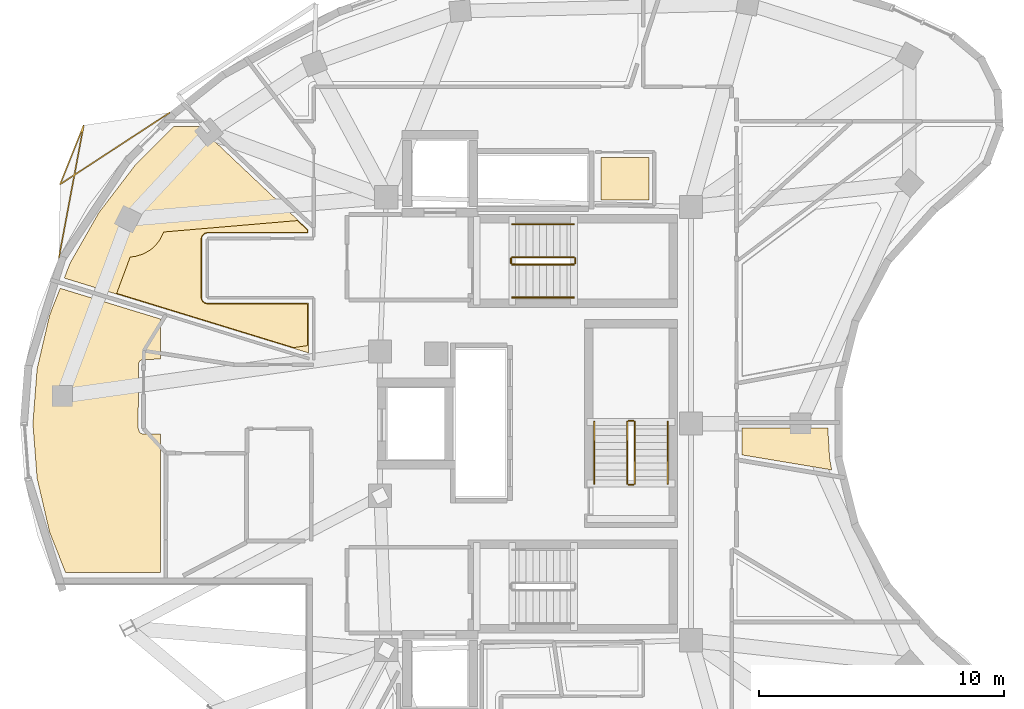
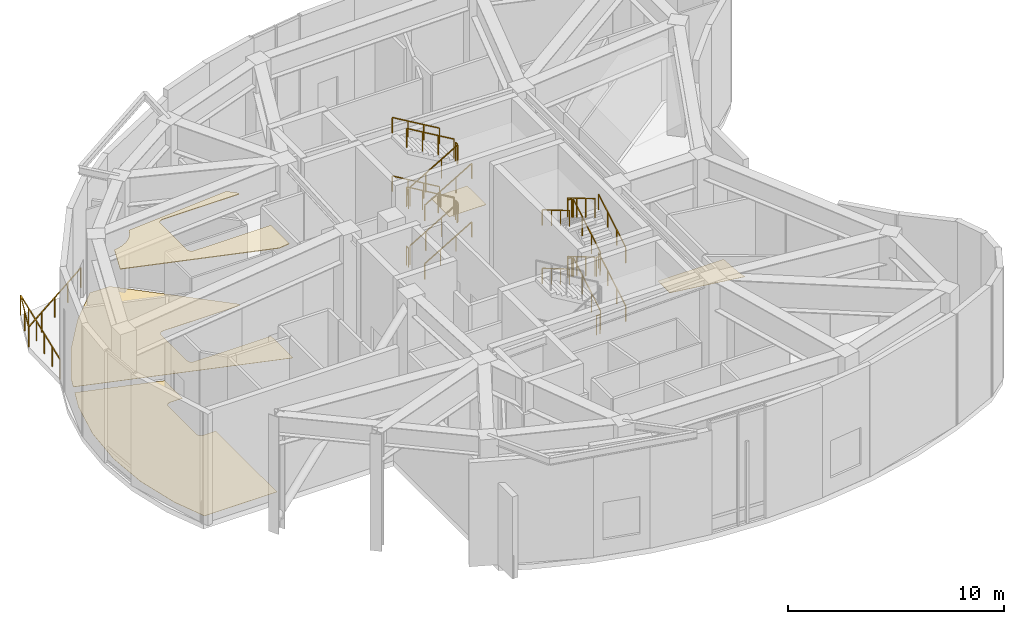
# One storey, part 11 of 12: 25 railings, 5 coverings.
"""IFC4 building model written with IfcOpenShell, lengths in metres."""

from ifc_helpers import new_model, si_unit, direction, frame, origin, origin_2d, place, context, subcontext, project, spatial, polyline, rectangle, outline, extrude, material, layer, layer_set, type_object, element, save


model = new_model("IFC4")

# Units and contexts
model_context = context("Model", 3, precision=1e-05, world=origin(), true_north=direction((0.0, 1.0)))
body_context = subcontext(model_context, "Body", "Model", "MODEL_VIEW")
ifc_project = project(units=[si_unit("LENGTHUNIT", "METRE"), si_unit("AREAUNIT", "SQUARE_METRE"), si_unit("VOLUMEUNIT", "CUBIC_METRE"), si_unit("PLANEANGLEUNIT", "RADIAN"), si_unit("MASSUNIT", "GRAM", prefix="KILO")], contexts=[model_context])

# Site, building, storey
site_placement = place(None, origin())
site = spatial("IfcSite", under=ifc_project, at=site_placement, CompositionType="ELEMENT")
building_placement = place(site_placement, origin())
building = spatial("IfcBuilding", under=site, at=building_placement, Name="Korentha Bioscience Tower", CompositionType="ELEMENT")
storey_placement = place(building_placement, frame((0.0, 0.0, 291.0)))
storey = spatial("IfcBuildingStorey", under=building, at=storey_placement, Name="L67", CompositionType="ELEMENT", Elevation=291.0)

# Covering
ifc_material_1 = material(Name="Vitrified Porcelain Tile", Category="ceramic")
ifc_layer_1 = layer(ifc_material_1, 0.014892578125, Name="Vitrified Porcelain Tile")
ifc_layer_set_1 = layer_set([ifc_layer_1], Name="Vitrified Porcelain Tile (FL-CER)")
covering_type_1 = type_object("IfcCoveringType", Name="Anti-Slip Ceramic Wet-Room Tile Flooring 15", PredefinedType="FLOORING", material=ifc_layer_set_1)
covering_1_placement = place(storey_placement, origin())
element("IfcCovering", 1, at=covering_1_placement, inside=storey, type_object=covering_type_1, Name="L67 Accessible Staff WC Floor Finish", PredefinedType="FLOORING", context=body_context, shape_type="SweptSolid", body=[
    extrude(outline(polyline([(33.8701171875, 36.1298828125), (33.8701171875, 37.8701171875), (35.830078125, 37.8701171875), (35.830078125, 36.1298828125), (33.8701171875, 36.1298828125)])), origin(), (0.0, 0.0, 1.0), 0.014892578125),
])

# Railings
ifc_material_2 = material(Name="Stainless Steel 304", Category="steel")
railing_type_1 = type_object("IfcRailingType", Name="Brushed Stainless Stair Handrail 900", PredefinedType="HANDRAIL", material=ifc_material_2)
railing_1_placement = place(storey_placement, frame((30.25, 32.14990234375, 0.1650390625)))
element("IfcRailing", 2, at=railing_1_placement, inside=storey, type_object=railing_type_1, Name="L67 ST-1 stair handrail 1", PredefinedType="HANDRAIL", context=body_context, shape_type="SweptSolid", body=[
    extrude(rectangle(XDim=0.048095703125, YDim=0.048095703125, at=origin_2d()), frame((0.0, 0.0, 0.8759765625), z_axis=(0.861560626758, 0.0, 0.507654692109), x_axis=(0.0, 1.0, 0.0)), (0.0, 0.0, 1.0), 2.925048828125),
    extrude(rectangle(XDim=0.0419921875, YDim=0.0419921875, at=origin_2d()), origin(), (0.0, 0.0, 1.0), 0.851806640625),
    extrude(rectangle(XDim=0.0419921875, YDim=0.0419921875, at=origin_2d()), frame((0.840087890625, 0.0, 0.494873046875)), (0.0, 0.0, 1.0), 0.851806640625),
    extrude(rectangle(XDim=0.0419921875, YDim=0.0419921875, at=origin_2d()), frame((1.679931640625, 0.0, 0.989990234375)), (0.0, 0.0, 1.0), 0.851806640625),
    extrude(rectangle(XDim=0.0419921875, YDim=0.0419921875, at=origin_2d()), frame((2.52001953125, 0.0, 1.48486328125)), (0.0, 0.0, 1.0), 0.851806640625),
])
railing_2_placement = place(storey_placement, frame((32.77001953125, 35.14990234375, 1.81494140625)))
element("IfcRailing", 3, at=railing_2_placement, inside=storey, type_object=railing_type_1, Name="L67 ST-1 stair handrail 2", PredefinedType="HANDRAIL", context=body_context, shape_type="SweptSolid", body=[
    extrude(rectangle(XDim=0.048095703125, YDim=0.048095703125, at=origin_2d()), frame((0.0, 0.0, 0.8759765625), z_axis=(-0.86152411907, 0.0, 0.507716645641), x_axis=(0.0, -1.0, 0.0)), (0.0, 0.0, 1.0), 2.925048828125),
    extrude(rectangle(XDim=0.0419921875, YDim=0.0419921875, at=origin_2d()), origin(), (0.0, 0.0, 1.0), 0.851806640625),
    extrude(rectangle(XDim=0.0419921875, YDim=0.0419921875, at=origin_2d()), frame((-0.840087890625, 0.0, 0.4951171875)), (0.0, 0.0, 1.0), 0.851806640625),
    extrude(rectangle(XDim=0.0419921875, YDim=0.0419921875, at=origin_2d()), frame((-1.679931640625, 0.0, 0.989990234375)), (0.0, 0.0, 1.0), 0.851806640625),
    extrude(rectangle(XDim=0.0419921875, YDim=0.0419921875, at=origin_2d()), frame((-2.52001953125, 0.0, 1.485107421875)), (0.0, 0.0, 1.0), 0.851806640625),
])
railing_3_placement = place(storey_placement, frame((30.25, 32.14990234375, 3.465087890625)))
element("IfcRailing", 4, at=railing_3_placement, inside=storey, type_object=railing_type_1, Name="L67 ST-1 stair handrail 3", PredefinedType="HANDRAIL", context=body_context, shape_type="SweptSolid", body=[
    extrude(rectangle(XDim=0.048095703125, YDim=0.048095703125, at=origin_2d()), frame((0.0, 0.0, 0.8759765625), z_axis=(0.861560626758, 0.0, 0.507654692109), x_axis=(0.0, 1.0, 0.0)), (0.0, 0.0, 1.0), 2.925048828125),
    extrude(rectangle(XDim=0.0419921875, YDim=0.0419921875, at=origin_2d()), origin(), (0.0, 0.0, 1.0), 0.851806640625),
    extrude(rectangle(XDim=0.0419921875, YDim=0.0419921875, at=origin_2d()), frame((0.840087890625, 0.0, 0.494873046875)), (0.0, 0.0, 1.0), 0.851806640625),
    extrude(rectangle(XDim=0.0419921875, YDim=0.0419921875, at=origin_2d()), frame((1.679931640625, 0.0, 0.989990234375)), (0.0, 0.0, 1.0), 0.851806640625),
    extrude(rectangle(XDim=0.0419921875, YDim=0.0419921875, at=origin_2d()), frame((2.52001953125, 0.0, 1.48486328125)), (0.0, 0.0, 1.0), 0.851806640625),
])
railing_4_placement = place(storey_placement, frame((32.77001953125, 35.14990234375, 5.114990234375)))
element("IfcRailing", 5, at=railing_4_placement, inside=storey, type_object=railing_type_1, Name="L67 ST-1 stair handrail 4", PredefinedType="HANDRAIL", context=body_context, shape_type="SweptSolid", body=[
    extrude(rectangle(XDim=0.048095703125, YDim=0.048095703125, at=origin_2d()), frame((0.0, 0.0, 0.8759765625), z_axis=(-0.86152411907, 0.0, 0.507716645641), x_axis=(0.0, -1.0, 0.0)), (0.0, 0.0, 1.0), 2.925048828125),
    extrude(rectangle(XDim=0.0419921875, YDim=0.0419921875, at=origin_2d()), origin(), (0.0, 0.0, 1.0), 0.851806640625),
    extrude(rectangle(XDim=0.0419921875, YDim=0.0419921875, at=origin_2d()), frame((-0.840087890625, 0.0, 0.4951171875)), (0.0, 0.0, 1.0), 0.851806640625),
    extrude(rectangle(XDim=0.0419921875, YDim=0.0419921875, at=origin_2d()), frame((-1.679931640625, 0.0, 0.989990234375)), (0.0, 0.0, 1.0), 0.851806640625),
    extrude(rectangle(XDim=0.0419921875, YDim=0.0419921875, at=origin_2d()), frame((-2.52001953125, 0.0, 1.485107421875)), (0.0, 0.0, 1.0), 0.851806640625),
])
railing_5_placement = place(storey_placement, frame((36.60009765625, 24.550048828125, 0.1650390625)))
element("IfcRailing", 6, at=railing_5_placement, inside=storey, type_object=railing_type_1, Name="L67 ST-3 stair handrail 1", PredefinedType="HANDRAIL", context=body_context, shape_type="SweptSolid", body=[
    extrude(rectangle(XDim=0.048095703125, YDim=0.048095703125, at=origin_2d()), frame((0.0, 0.0, 0.8759765625), z_axis=(0.0, 0.861560626758, 0.507654692109), x_axis=(-1.0, 0.0, 0.0)), (0.0, 0.0, 1.0), 2.925048828125),
    extrude(rectangle(XDim=0.0419921875, YDim=0.0419921875, at=origin_2d()), origin(), (0.0, 0.0, 1.0), 0.851806640625),
    extrude(rectangle(XDim=0.0419921875, YDim=0.0419921875, at=origin_2d()), frame((0.0, 0.840087890625, 0.494873046875)), (0.0, 0.0, 1.0), 0.851806640625),
    extrude(rectangle(XDim=0.0419921875, YDim=0.0419921875, at=origin_2d()), frame((0.0, 1.679931640625, 0.989990234375)), (0.0, 0.0, 1.0), 0.851806640625),
    extrude(rectangle(XDim=0.0419921875, YDim=0.0419921875, at=origin_2d()), frame((0.0, 2.52001953125, 1.48486328125)), (0.0, 0.0, 1.0), 0.851806640625),
])
railing_6_placement = place(storey_placement, frame((33.60009765625, 27.070068359375, 1.81494140625)))
element("IfcRailing", 7, at=railing_6_placement, inside=storey, type_object=railing_type_1, Name="L67 ST-3 stair handrail 2", PredefinedType="HANDRAIL", context=body_context, shape_type="SweptSolid", body=[
    extrude(rectangle(XDim=0.048095703125, YDim=0.048095703125, at=origin_2d()), frame((0.0, 0.0, 0.8759765625), z_axis=(0.0, -0.86152411907, 0.507716645641), x_axis=(1.0, 0.0, 0.0)), (0.0, 0.0, 1.0), 2.925048828125),
    extrude(rectangle(XDim=0.0419921875, YDim=0.0419921875, at=origin_2d()), origin(), (0.0, 0.0, 1.0), 0.851806640625),
    extrude(rectangle(XDim=0.0419921875, YDim=0.0419921875, at=origin_2d()), frame((0.0, -0.840087890625, 0.4951171875)), (0.0, 0.0, 1.0), 0.851806640625),
    extrude(rectangle(XDim=0.0419921875, YDim=0.0419921875, at=origin_2d()), frame((0.0, -1.679931640625, 0.989990234375)), (0.0, 0.0, 1.0), 0.851806640625),
    extrude(rectangle(XDim=0.0419921875, YDim=0.0419921875, at=origin_2d()), frame((0.0, -2.52001953125, 1.485107421875)), (0.0, 0.0, 1.0), 0.851806640625),
])
railing_7_placement = place(storey_placement, frame((36.60009765625, 24.550048828125, 3.465087890625)))
element("IfcRailing", 8, at=railing_7_placement, inside=storey, type_object=railing_type_1, Name="L67 ST-3 stair handrail 3", PredefinedType="HANDRAIL", context=body_context, shape_type="SweptSolid", body=[
    extrude(rectangle(XDim=0.048095703125, YDim=0.048095703125, at=origin_2d()), frame((0.0, 0.0, 0.8759765625), z_axis=(0.0, 0.861560626758, 0.507654692109), x_axis=(-1.0, 0.0, 0.0)), (0.0, 0.0, 1.0), 2.925048828125),
    extrude(rectangle(XDim=0.0419921875, YDim=0.0419921875, at=origin_2d()), origin(), (0.0, 0.0, 1.0), 0.851806640625),
    extrude(rectangle(XDim=0.0419921875, YDim=0.0419921875, at=origin_2d()), frame((0.0, 0.840087890625, 0.494873046875)), (0.0, 0.0, 1.0), 0.851806640625),
    extrude(rectangle(XDim=0.0419921875, YDim=0.0419921875, at=origin_2d()), frame((0.0, 1.679931640625, 0.989990234375)), (0.0, 0.0, 1.0), 0.851806640625),
    extrude(rectangle(XDim=0.0419921875, YDim=0.0419921875, at=origin_2d()), frame((0.0, 2.52001953125, 1.48486328125)), (0.0, 0.0, 1.0), 0.851806640625),
])
railing_8_placement = place(storey_placement, frame((33.60009765625, 27.070068359375, 5.114990234375)))
element("IfcRailing", 9, at=railing_8_placement, inside=storey, type_object=railing_type_1, Name="L67 ST-3 stair handrail 4", PredefinedType="HANDRAIL", context=body_context, shape_type="SweptSolid", body=[
    extrude(rectangle(XDim=0.048095703125, YDim=0.048095703125, at=origin_2d()), frame((0.0, 0.0, 0.8759765625), z_axis=(0.0, -0.86152411907, 0.507716645641), x_axis=(1.0, 0.0, 0.0)), (0.0, 0.0, 1.0), 2.925048828125),
    extrude(rectangle(XDim=0.0419921875, YDim=0.0419921875, at=origin_2d()), origin(), (0.0, 0.0, 1.0), 0.851806640625),
    extrude(rectangle(XDim=0.0419921875, YDim=0.0419921875, at=origin_2d()), frame((0.0, -0.840087890625, 0.4951171875)), (0.0, 0.0, 1.0), 0.851806640625),
    extrude(rectangle(XDim=0.0419921875, YDim=0.0419921875, at=origin_2d()), frame((0.0, -1.679931640625, 0.989990234375)), (0.0, 0.0, 1.0), 0.851806640625),
    extrude(rectangle(XDim=0.0419921875, YDim=0.0419921875, at=origin_2d()), frame((0.0, -2.52001953125, 1.485107421875)), (0.0, 0.0, 1.0), 0.851806640625),
])
ifc_material_3 = material(Name="Laminated Tempered Safety Glass", Category="glass")
railing_type_2 = type_object("IfcRailingType", Name="Laminated Glass Balcony Guardrail 1150", PredefinedType="BALUSTRADE", material=ifc_material_3)
railing_9_placement = place(storey_placement, frame((16.258056640625, 39.702880859375, 0.0)))
element("IfcRailing", 10, at=railing_9_placement, inside=storey, type_object=railing_type_2, Name="L67 Balcony Guardrail 02", PredefinedType="BALUSTRADE", context=body_context, shape_type="SweptSolid", body=[
    extrude(rectangle(XDim=0.048095703125, YDim=0.048095703125, at=origin_2d()), frame((0.0, 0.0, 1.1259765625), z_axis=(-0.837082251142, -0.547077055654, 0.0), x_axis=(0.547077055654, -0.837082251142, 0.0)), (0.0, 0.0, 1.0), 5.344970703125),
    extrude(rectangle(XDim=0.048095703125, YDim=0.048095703125, at=origin_2d()), frame((-4.47412109375, -2.924072265625, 1.1259765625), z_axis=(0.370350589188, 0.928892050288, 0.0), x_axis=(-0.928892050288, 0.370350589188, 0.0)), (0.0, 0.0, 1.0), 2.5908203125),
    extrude(rectangle(XDim=0.048095703125, YDim=0.048095703125, at=origin_2d()), frame((-3.5146484375, -0.517578125, 1.1259765625), z_axis=(-0.183907296618, -0.982943592609, 0.0), x_axis=(0.982943592609, -0.183907296618, 0.0)), (0.0, 0.0, 1.0), 5.49072265625),
    extrude(rectangle(XDim=0.0419921875, YDim=0.0419921875, at=origin_2d()), origin(), (0.0, 0.0, 1.0), 1.101806640625),
    extrude(rectangle(XDim=0.0419921875, YDim=0.0419921875, at=origin_2d()), frame((-1.11865234375, -0.73095703125, 0.0)), (0.0, 0.0, 1.0), 1.101806640625),
    extrude(rectangle(XDim=0.0419921875, YDim=0.0419921875, at=origin_2d()), frame((-2.237060546875, -1.4619140625, 0.0)), (0.0, 0.0, 1.0), 1.101806640625),
    extrude(rectangle(XDim=0.0419921875, YDim=0.0419921875, at=origin_2d()), frame((-3.35546875, -2.193115234375, 0.0)), (0.0, 0.0, 1.0), 1.101806640625),
    extrude(rectangle(XDim=0.0419921875, YDim=0.0419921875, at=origin_2d()), frame((-4.47412109375, -2.924072265625, 0.0)), (0.0, 0.0, 1.0), 1.101806640625),
    extrude(rectangle(XDim=0.0419921875, YDim=0.0419921875, at=origin_2d()), frame((-3.994384765625, -1.720703125, 0.0)), (0.0, 0.0, 1.0), 1.101806640625),
    extrude(rectangle(XDim=0.0419921875, YDim=0.0419921875, at=origin_2d()), frame((-3.5146484375, -0.517578125, 0.0)), (0.0, 0.0, 1.0), 1.101806640625),
    extrude(rectangle(XDim=0.0419921875, YDim=0.0419921875, at=origin_2d()), frame((-3.716552734375, -1.596923828125, 0.0)), (0.0, 0.0, 1.0), 1.101806640625),
    extrude(rectangle(XDim=0.0419921875, YDim=0.0419921875, at=origin_2d()), frame((-3.91845703125, -2.67626953125, 0.0)), (0.0, 0.0, 1.0), 1.101806640625),
    extrude(rectangle(XDim=0.0419921875, YDim=0.0419921875, at=origin_2d()), frame((-4.12060546875, -3.755859375, 0.0)), (0.0, 0.0, 1.0), 1.101806640625),
    extrude(rectangle(XDim=0.0419921875, YDim=0.0419921875, at=origin_2d()), frame((-4.322509765625, -4.835205078125, 0.0)), (0.0, 0.0, 1.0), 1.101806640625),
    extrude(rectangle(XDim=0.0419921875, YDim=0.0419921875, at=origin_2d()), frame((-4.5244140625, -5.91455078125, 0.0)), (0.0, 0.0, 1.0), 1.101806640625),
])

# Covering
ifc_material_4 = material(Name="Antimicrobial Mineral Fibre Board", Category="gypsum")
ifc_layer_2 = layer(ifc_material_4, 0.034912109375, Name="Antimicrobial Mineral Fibre Board")
ifc_layer_set_2 = layer_set([ifc_layer_2], Name="Antimicrobial Mineral Fibre Board (CL-MF35)")
covering_type_2 = type_object("IfcCoveringType", Name="Mineral-Fibre Cleanroom Suspended Ceiling 35", PredefinedType="CEILING", material=ifc_layer_set_2)
covering_2_placement = place(storey_placement, frame((0.0, 0.0, 6.264892578125)))
element("IfcCovering", 11, at=covering_2_placement, inside=storey, type_object=covering_type_2, Name="L67 Climate Telemetry Control Studio 17 Acoustic Ceiling", PredefinedType="CEILING", context=body_context, shape_type="SweptSolid", body=[
    extrude(outline(polyline([(21.88623046875, 34.81005859375), (17.800048828125, 34.81005859375), (17.666015625, 34.772705078125), (17.57666015625, 34.68310546875), (17.540283203125, 34.562255859375), (17.5400390625, 32.14990234375), (17.555419921875, 32.06201171875), (17.607666015625, 31.97509765625), (17.689208984375, 31.914794921875), (17.786865234375, 31.890380859375), (21.889892578125, 31.889892578125), (21.889892578125, 30.18603515625), (21.318359375, 30.10595703125), (14.09130859375, 32.32177734375), (14.643310546875, 33.805419921875), (14.859375, 33.830810546875), (15.150146484375, 33.919189453125), (15.418212890625, 34.062255859375), (15.540283203125, 34.15283203125), (15.653076171875, 34.255126953125), (15.845703125, 34.489990234375), (16.01416015625, 34.827880859375), (21.47021484375, 35.293212890625), (21.884765625, 34.901123046875), (21.88623046875, 34.81005859375)])), origin(), (0.0, 0.0, 1.0), 0.03515625),
])

# Railings
ifc_material_5 = material(Name="Painted Steel S275", Category="steel")
railing_type_3 = type_object("IfcRailingType", Name="Painted Steel Stair Well Guardrail 1100", PredefinedType="GUARDRAIL", material=ifc_material_5)
railing_10_placement = place(storey_placement, frame((30.25, 33.5, 0.1650390625)))
element("IfcRailing", 12, at=railing_10_placement, inside=storey, type_object=railing_type_3, Name="L67 ST-1 stair guard 1", PredefinedType="GUARDRAIL", context=body_context, shape_type="SweptSolid", body=[
    extrude(rectangle(XDim=0.048095703125, YDim=0.048095703125, at=origin_2d()), frame((0.0, 0.0, 1.076171875), z_axis=(0.861560626758, 0.0, 0.507654692109), x_axis=(0.0, 1.0, 0.0)), (0.0, 0.0, 1.0), 2.925048828125),
    extrude(rectangle(XDim=0.0419921875, YDim=0.0419921875, at=origin_2d()), origin(), (0.0, 0.0, 1.0), 1.052001953125),
    extrude(rectangle(XDim=0.0419921875, YDim=0.0419921875, at=origin_2d()), frame((0.840087890625, 0.0, 0.494873046875)), (0.0, 0.0, 1.0), 1.052001953125),
    extrude(rectangle(XDim=0.0419921875, YDim=0.0419921875, at=origin_2d()), frame((1.679931640625, 0.0, 0.989990234375)), (0.0, 0.0, 1.0), 1.052001953125),
    extrude(rectangle(XDim=0.0419921875, YDim=0.0419921875, at=origin_2d()), frame((2.52001953125, 0.0, 1.48486328125)), (0.0, 0.0, 1.0), 1.052001953125),
])
railing_11_placement = place(storey_placement, frame((32.820068359375, 33.550048828125, 1.64990234375)))
element("IfcRailing", 13, at=railing_11_placement, inside=storey, type_object=railing_type_3, Name="L67 ST-1 stair guard 2", PredefinedType="GUARDRAIL", context=body_context, shape_type="SweptSolid", body=[
    extrude(rectangle(XDim=0.048095703125, YDim=0.048095703125, at=origin_2d()), frame((0.0, 0.0, 1.076171875), z_axis=(0.0, 1.0, 0.0), x_axis=(-1.0, 0.0, 0.0)), (0.0, 0.0, 1.0), 0.199951171875),
    extrude(rectangle(XDim=0.0419921875, YDim=0.0419921875, at=origin_2d()), origin(), (0.0, 0.0, 1.0), 1.052001953125),
    extrude(rectangle(XDim=0.0419921875, YDim=0.0419921875, at=origin_2d()), frame((0.0, 0.199951171875, 0.0)), (0.0, 0.0, 1.0), 1.052001953125),
])
railing_12_placement = place(storey_placement, frame((32.77001953125, 33.800048828125, 1.81494140625)))
element("IfcRailing", 14, at=railing_12_placement, inside=storey, type_object=railing_type_3, Name="L67 ST-1 stair guard 3", PredefinedType="GUARDRAIL", context=body_context, shape_type="SweptSolid", body=[
    extrude(rectangle(XDim=0.048095703125, YDim=0.048095703125, at=origin_2d()), frame((0.0, 0.0, 1.076171875), z_axis=(-0.86152411907, 0.0, 0.507716645641), x_axis=(0.0, -1.0, 0.0)), (0.0, 0.0, 1.0), 2.925048828125),
    extrude(rectangle(XDim=0.0419921875, YDim=0.0419921875, at=origin_2d()), origin(), (0.0, 0.0, 1.0), 1.052001953125),
    extrude(rectangle(XDim=0.0419921875, YDim=0.0419921875, at=origin_2d()), frame((-0.840087890625, 0.0, 0.4951171875)), (0.0, 0.0, 1.0), 1.052001953125),
    extrude(rectangle(XDim=0.0419921875, YDim=0.0419921875, at=origin_2d()), frame((-1.679931640625, 0.0, 0.989990234375)), (0.0, 0.0, 1.0), 1.052001953125),
    extrude(rectangle(XDim=0.0419921875, YDim=0.0419921875, at=origin_2d()), frame((-2.52001953125, 0.0, 1.485107421875)), (0.0, 0.0, 1.0), 1.052001953125),
])
railing_13_placement = place(storey_placement, frame((30.199951171875, 33.550048828125, 3.300048828125)))
element("IfcRailing", 15, at=railing_13_placement, inside=storey, type_object=railing_type_3, Name="L67 ST-1 stair guard 4", PredefinedType="GUARDRAIL", context=body_context, shape_type="SweptSolid", body=[
    extrude(rectangle(XDim=0.048095703125, YDim=0.048095703125, at=origin_2d()), frame((0.0, 0.0, 1.076171875), z_axis=(0.0, 1.0, 0.0), x_axis=(-1.0, 0.0, 0.0)), (0.0, 0.0, 1.0), 0.199951171875),
    extrude(rectangle(XDim=0.0419921875, YDim=0.0419921875, at=origin_2d()), origin(), (0.0, 0.0, 1.0), 1.052001953125),
    extrude(rectangle(XDim=0.0419921875, YDim=0.0419921875, at=origin_2d()), frame((0.0, 0.199951171875, 0.0)), (0.0, 0.0, 1.0), 1.052001953125),
])
railing_14_placement = place(storey_placement, frame((30.25, 33.5, 3.465087890625)))
element("IfcRailing", 16, at=railing_14_placement, inside=storey, type_object=railing_type_3, Name="L67 ST-1 stair guard 5", PredefinedType="GUARDRAIL", context=body_context, shape_type="SweptSolid", body=[
    extrude(rectangle(XDim=0.048095703125, YDim=0.048095703125, at=origin_2d()), frame((0.0, 0.0, 1.076171875), z_axis=(0.861560626758, 0.0, 0.507654692109), x_axis=(0.0, 1.0, 0.0)), (0.0, 0.0, 1.0), 2.925048828125),
    extrude(rectangle(XDim=0.0419921875, YDim=0.0419921875, at=origin_2d()), origin(), (0.0, 0.0, 1.0), 1.052001953125),
    extrude(rectangle(XDim=0.0419921875, YDim=0.0419921875, at=origin_2d()), frame((0.840087890625, 0.0, 0.494873046875)), (0.0, 0.0, 1.0), 1.052001953125),
    extrude(rectangle(XDim=0.0419921875, YDim=0.0419921875, at=origin_2d()), frame((1.679931640625, 0.0, 0.989990234375)), (0.0, 0.0, 1.0), 1.052001953125),
    extrude(rectangle(XDim=0.0419921875, YDim=0.0419921875, at=origin_2d()), frame((2.52001953125, 0.0, 1.48486328125)), (0.0, 0.0, 1.0), 1.052001953125),
])
railing_15_placement = place(storey_placement, frame((32.820068359375, 33.550048828125, 4.949951171875)))
element("IfcRailing", 17, at=railing_15_placement, inside=storey, type_object=railing_type_3, Name="L67 ST-1 stair guard 6", PredefinedType="GUARDRAIL", context=body_context, shape_type="SweptSolid", body=[
    extrude(rectangle(XDim=0.048095703125, YDim=0.048095703125, at=origin_2d()), frame((0.0, 0.0, 1.076171875), z_axis=(0.0, 1.0, 0.0), x_axis=(-1.0, 0.0, 0.0)), (0.0, 0.0, 1.0), 0.199951171875),
    extrude(rectangle(XDim=0.0419921875, YDim=0.0419921875, at=origin_2d()), origin(), (0.0, 0.0, 1.0), 1.052001953125),
    extrude(rectangle(XDim=0.0419921875, YDim=0.0419921875, at=origin_2d()), frame((0.0, 0.199951171875, 0.0)), (0.0, 0.0, 1.0), 1.052001953125),
])
railing_16_placement = place(storey_placement, frame((32.77001953125, 33.800048828125, 5.114990234375)))
element("IfcRailing", 18, at=railing_16_placement, inside=storey, type_object=railing_type_3, Name="L67 ST-1 stair guard 7", PredefinedType="GUARDRAIL", context=body_context, shape_type="SweptSolid", body=[
    extrude(rectangle(XDim=0.048095703125, YDim=0.048095703125, at=origin_2d()), frame((0.0, 0.0, 1.076171875), z_axis=(-0.86152411907, 0.0, 0.507716645641), x_axis=(0.0, -1.0, 0.0)), (0.0, 0.0, 1.0), 2.925048828125),
    extrude(rectangle(XDim=0.0419921875, YDim=0.0419921875, at=origin_2d()), origin(), (0.0, 0.0, 1.0), 1.052001953125),
    extrude(rectangle(XDim=0.0419921875, YDim=0.0419921875, at=origin_2d()), frame((-0.840087890625, 0.0, 0.4951171875)), (0.0, 0.0, 1.0), 1.052001953125),
    extrude(rectangle(XDim=0.0419921875, YDim=0.0419921875, at=origin_2d()), frame((-1.679931640625, 0.0, 0.989990234375)), (0.0, 0.0, 1.0), 1.052001953125),
    extrude(rectangle(XDim=0.0419921875, YDim=0.0419921875, at=origin_2d()), frame((-2.52001953125, 0.0, 1.485107421875)), (0.0, 0.0, 1.0), 1.052001953125),
])
railing_17_placement = place(storey_placement, frame((30.199951171875, 33.550048828125, 0.0)))
element("IfcRailing", 19, at=railing_17_placement, inside=storey, type_object=railing_type_3, Name="L67 ST-1 stair guard 8", PredefinedType="GUARDRAIL", context=body_context, shape_type="SweptSolid", body=[
    extrude(rectangle(XDim=0.048095703125, YDim=0.048095703125, at=origin_2d()), frame((0.0, 0.0, 1.076171875), z_axis=(0.0, 1.0, 0.0), x_axis=(-1.0, 0.0, 0.0)), (0.0, 0.0, 1.0), 0.199951171875),
    extrude(rectangle(XDim=0.0419921875, YDim=0.0419921875, at=origin_2d()), origin(), (0.0, 0.0, 1.0), 1.052001953125),
    extrude(rectangle(XDim=0.0419921875, YDim=0.0419921875, at=origin_2d()), frame((0.0, 0.199951171875, 0.0)), (0.0, 0.0, 1.0), 1.052001953125),
])
railing_18_placement = place(storey_placement, frame((35.25, 24.550048828125, 0.1650390625)))
element("IfcRailing", 20, at=railing_18_placement, inside=storey, type_object=railing_type_3, Name="L67 ST-3 stair guard 1", PredefinedType="GUARDRAIL", context=body_context, shape_type="SweptSolid", body=[
    extrude(rectangle(XDim=0.048095703125, YDim=0.048095703125, at=origin_2d()), frame((0.0, 0.0, 1.076171875), z_axis=(0.0, 0.861560626758, 0.507654692109), x_axis=(-1.0, 0.0, 0.0)), (0.0, 0.0, 1.0), 2.925048828125),
    extrude(rectangle(XDim=0.0419921875, YDim=0.0419921875, at=origin_2d()), origin(), (0.0, 0.0, 1.0), 1.052001953125),
    extrude(rectangle(XDim=0.0419921875, YDim=0.0419921875, at=origin_2d()), frame((0.0, 0.840087890625, 0.494873046875)), (0.0, 0.0, 1.0), 1.052001953125),
    extrude(rectangle(XDim=0.0419921875, YDim=0.0419921875, at=origin_2d()), frame((0.0, 1.679931640625, 0.989990234375)), (0.0, 0.0, 1.0), 1.052001953125),
    extrude(rectangle(XDim=0.0419921875, YDim=0.0419921875, at=origin_2d()), frame((0.0, 2.52001953125, 1.48486328125)), (0.0, 0.0, 1.0), 1.052001953125),
])
railing_19_placement = place(storey_placement, frame((35.199951171875, 27.1201171875, 1.64990234375)))
element("IfcRailing", 21, at=railing_19_placement, inside=storey, type_object=railing_type_3, Name="L67 ST-3 stair guard 2", PredefinedType="GUARDRAIL", context=body_context, shape_type="SweptSolid", body=[
    extrude(rectangle(XDim=0.048095703125, YDim=0.048095703125, at=origin_2d()), frame((0.0, 0.0, 1.076171875), z_axis=(-1.0, 0.0, 0.0), x_axis=(0.0, -1.0, 0.0)), (0.0, 0.0, 1.0), 0.199951171875),
    extrude(rectangle(XDim=0.0419921875, YDim=0.0419921875, at=origin_2d()), origin(), (0.0, 0.0, 1.0), 1.052001953125),
    extrude(rectangle(XDim=0.0419921875, YDim=0.0419921875, at=origin_2d()), frame((-0.199951171875, 0.0, 0.0)), (0.0, 0.0, 1.0), 1.052001953125),
])
railing_20_placement = place(storey_placement, frame((34.949951171875, 27.070068359375, 1.81494140625)))
element("IfcRailing", 22, at=railing_20_placement, inside=storey, type_object=railing_type_3, Name="L67 ST-3 stair guard 3", PredefinedType="GUARDRAIL", context=body_context, shape_type="SweptSolid", body=[
    extrude(rectangle(XDim=0.048095703125, YDim=0.048095703125, at=origin_2d()), frame((0.0, 0.0, 1.076171875), z_axis=(0.0, -0.86152411907, 0.507716645641), x_axis=(1.0, 0.0, 0.0)), (0.0, 0.0, 1.0), 2.925048828125),
    extrude(rectangle(XDim=0.0419921875, YDim=0.0419921875, at=origin_2d()), origin(), (0.0, 0.0, 1.0), 1.052001953125),
    extrude(rectangle(XDim=0.0419921875, YDim=0.0419921875, at=origin_2d()), frame((0.0, -0.840087890625, 0.4951171875)), (0.0, 0.0, 1.0), 1.052001953125),
    extrude(rectangle(XDim=0.0419921875, YDim=0.0419921875, at=origin_2d()), frame((0.0, -1.679931640625, 0.989990234375)), (0.0, 0.0, 1.0), 1.052001953125),
    extrude(rectangle(XDim=0.0419921875, YDim=0.0419921875, at=origin_2d()), frame((0.0, -2.52001953125, 1.485107421875)), (0.0, 0.0, 1.0), 1.052001953125),
])
railing_21_placement = place(storey_placement, frame((35.199951171875, 24.5, 3.300048828125)))
element("IfcRailing", 23, at=railing_21_placement, inside=storey, type_object=railing_type_3, Name="L67 ST-3 stair guard 4", PredefinedType="GUARDRAIL", context=body_context, shape_type="SweptSolid", body=[
    extrude(rectangle(XDim=0.048095703125, YDim=0.048095703125, at=origin_2d()), frame((0.0, 0.0, 1.076171875), z_axis=(-1.0, 0.0, 0.0), x_axis=(0.0, -1.0, 0.0)), (0.0, 0.0, 1.0), 0.199951171875),
    extrude(rectangle(XDim=0.0419921875, YDim=0.0419921875, at=origin_2d()), origin(), (0.0, 0.0, 1.0), 1.052001953125),
    extrude(rectangle(XDim=0.0419921875, YDim=0.0419921875, at=origin_2d()), frame((-0.199951171875, 0.0, 0.0)), (0.0, 0.0, 1.0), 1.052001953125),
])
railing_22_placement = place(storey_placement, frame((35.25, 24.550048828125, 3.465087890625)))
element("IfcRailing", 24, at=railing_22_placement, inside=storey, type_object=railing_type_3, Name="L67 ST-3 stair guard 5", PredefinedType="GUARDRAIL", context=body_context, shape_type="SweptSolid", body=[
    extrude(rectangle(XDim=0.048095703125, YDim=0.048095703125, at=origin_2d()), frame((0.0, 0.0, 1.076171875), z_axis=(0.0, 0.861560626758, 0.507654692109), x_axis=(-1.0, 0.0, 0.0)), (0.0, 0.0, 1.0), 2.925048828125),
    extrude(rectangle(XDim=0.0419921875, YDim=0.0419921875, at=origin_2d()), origin(), (0.0, 0.0, 1.0), 1.052001953125),
    extrude(rectangle(XDim=0.0419921875, YDim=0.0419921875, at=origin_2d()), frame((0.0, 0.840087890625, 0.494873046875)), (0.0, 0.0, 1.0), 1.052001953125),
    extrude(rectangle(XDim=0.0419921875, YDim=0.0419921875, at=origin_2d()), frame((0.0, 1.679931640625, 0.989990234375)), (0.0, 0.0, 1.0), 1.052001953125),
    extrude(rectangle(XDim=0.0419921875, YDim=0.0419921875, at=origin_2d()), frame((0.0, 2.52001953125, 1.48486328125)), (0.0, 0.0, 1.0), 1.052001953125),
])
railing_23_placement = place(storey_placement, frame((35.199951171875, 27.1201171875, 4.949951171875)))
element("IfcRailing", 25, at=railing_23_placement, inside=storey, type_object=railing_type_3, Name="L67 ST-3 stair guard 6", PredefinedType="GUARDRAIL", context=body_context, shape_type="SweptSolid", body=[
    extrude(rectangle(XDim=0.048095703125, YDim=0.048095703125, at=origin_2d()), frame((0.0, 0.0, 1.076171875), z_axis=(-1.0, 0.0, 0.0), x_axis=(0.0, -1.0, 0.0)), (0.0, 0.0, 1.0), 0.199951171875),
    extrude(rectangle(XDim=0.0419921875, YDim=0.0419921875, at=origin_2d()), origin(), (0.0, 0.0, 1.0), 1.052001953125),
    extrude(rectangle(XDim=0.0419921875, YDim=0.0419921875, at=origin_2d()), frame((-0.199951171875, 0.0, 0.0)), (0.0, 0.0, 1.0), 1.052001953125),
])
railing_24_placement = place(storey_placement, frame((34.949951171875, 27.070068359375, 5.114990234375)))
element("IfcRailing", 26, at=railing_24_placement, inside=storey, type_object=railing_type_3, Name="L67 ST-3 stair guard 7", PredefinedType="GUARDRAIL", context=body_context, shape_type="SweptSolid", body=[
    extrude(rectangle(XDim=0.048095703125, YDim=0.048095703125, at=origin_2d()), frame((0.0, 0.0, 1.076171875), z_axis=(0.0, -0.86152411907, 0.507716645641), x_axis=(1.0, 0.0, 0.0)), (0.0, 0.0, 1.0), 2.925048828125),
    extrude(rectangle(XDim=0.0419921875, YDim=0.0419921875, at=origin_2d()), origin(), (0.0, 0.0, 1.0), 1.052001953125),
    extrude(rectangle(XDim=0.0419921875, YDim=0.0419921875, at=origin_2d()), frame((0.0, -0.840087890625, 0.4951171875)), (0.0, 0.0, 1.0), 1.052001953125),
    extrude(rectangle(XDim=0.0419921875, YDim=0.0419921875, at=origin_2d()), frame((0.0, -1.679931640625, 0.989990234375)), (0.0, 0.0, 1.0), 1.052001953125),
    extrude(rectangle(XDim=0.0419921875, YDim=0.0419921875, at=origin_2d()), frame((0.0, -2.52001953125, 1.485107421875)), (0.0, 0.0, 1.0), 1.052001953125),
])
railing_25_placement = place(storey_placement, frame((35.199951171875, 24.5, 0.0)))
element("IfcRailing", 27, at=railing_25_placement, inside=storey, type_object=railing_type_3, Name="L67 ST-3 stair guard 8", PredefinedType="GUARDRAIL", context=body_context, shape_type="SweptSolid", body=[
    extrude(rectangle(XDim=0.048095703125, YDim=0.048095703125, at=origin_2d()), frame((0.0, 0.0, 1.076171875), z_axis=(-1.0, 0.0, 0.0), x_axis=(0.0, -1.0, 0.0)), (0.0, 0.0, 1.0), 0.199951171875),
    extrude(rectangle(XDim=0.0419921875, YDim=0.0419921875, at=origin_2d()), origin(), (0.0, 0.0, 1.0), 1.052001953125),
    extrude(rectangle(XDim=0.0419921875, YDim=0.0419921875, at=origin_2d()), frame((-0.199951171875, 0.0, 0.0)), (0.0, 0.0, 1.0), 1.052001953125),
])

# Coverings
ifc_material_6 = material(Name="Chemical-Resistant Epoxy Resin", Category="polymer")
ifc_layer_3 = layer(ifc_material_6, 0.011962890625, Name="Chemical-Resistant Epoxy Resin")
ifc_layer_set_3 = layer_set([ifc_layer_3], Name="Chemical-Resistant Epoxy Resin (FL-EPX)")
covering_type_3 = type_object("IfcCoveringType", Name="Seamless Epoxy Laboratory Flooring 12", PredefinedType="FLOORING", material=ifc_layer_set_3)
covering_3_placement = place(storey_placement, origin())
element("IfcCovering", 28, at=covering_3_placement, inside=storey, type_object=covering_type_3, Name="L67 Staff Pantry Kitchenette 01 Floor Finish", PredefinedType="FLOORING", context=body_context, shape_type="SweptSolid", body=[
    extrude(outline(polyline([(10.84033203125, 29.229248046875), (11.350830078125, 31.4287109375), (11.783447265625, 32.525146484375), (15.8779296875, 31.273681640625), (15.877685546875, 29.6298828125), (15.165771484375, 29.62744140625), (15.045166015625, 29.570068359375), (14.976806640625, 29.455322265625), (14.969970703125, 26.800048828125), (15.015625, 26.66259765625), (15.0634765625, 26.614990234375), (15.1435546875, 26.576904296875), (15.8779296875, 26.570068359375), (15.8779296875, 20.91015625), (12.00634765625, 20.909912109375), (11.350830078125, 22.5712890625), (10.84033203125, 24.7705078125), (10.669677734375, 27.001708984375), (10.84033203125, 29.229248046875)])), origin(), (0.0, 0.0, 1.0), 0.011962890625),
])
covering_4_placement = place(storey_placement, origin())
element("IfcCovering", 29, at=covering_4_placement, inside=storey, type_object=covering_type_3, Name="L67 Wind-Portal Aerodynamic Viewing Gallery 09 Floor Finish", PredefinedType="FLOORING", context=body_context, shape_type="SweptSolid", body=[
    extrude(outline(polyline([(43.21337890625, 25.57470703125), (43.2958984375, 25.109130859375), (39.63134765625, 25.722412109375), (39.630126953125, 26.827880859375), (43.13671875, 26.827880859375), (43.21337890625, 25.57470703125)])), origin(), (0.0, 0.0, 1.0), 0.011962890625),
])
covering_5_placement = place(storey_placement, origin())
element("IfcCovering", 30, at=covering_5_placement, inside=storey, type_object=covering_type_3, Name="L67 Climate Telemetry Control Studio 17 Floor Finish", PredefinedType="FLOORING", context=body_context, shape_type="SweptSolid", body=[
    extrude(outline(polyline([(13.361572265625, 35.615234375), (14.836181640625, 37.54296875), (16.40673828125, 39.1279296875), (17.458740234375, 39.1279296875), (21.91455078125, 34.914306640625), (21.91650390625, 34.780029296875), (17.800048828125, 34.780029296875), (17.681396484375, 34.7470703125), (17.6025390625, 34.667724609375), (17.5703125, 34.560791015625), (17.570068359375, 32.14990234375), (17.59228515625, 32.05126953125), (17.681396484375, 31.952880859375), (17.789306640625, 31.92041015625), (21.919921875, 31.919921875), (21.919921875, 29.890625), (11.94921875, 32.9453125), (12.19482421875, 33.5673828125), (13.361572265625, 35.615234375)])), origin(), (0.0, 0.0, 1.0), 0.011962890625),
])

save(model, "model.ifc")
